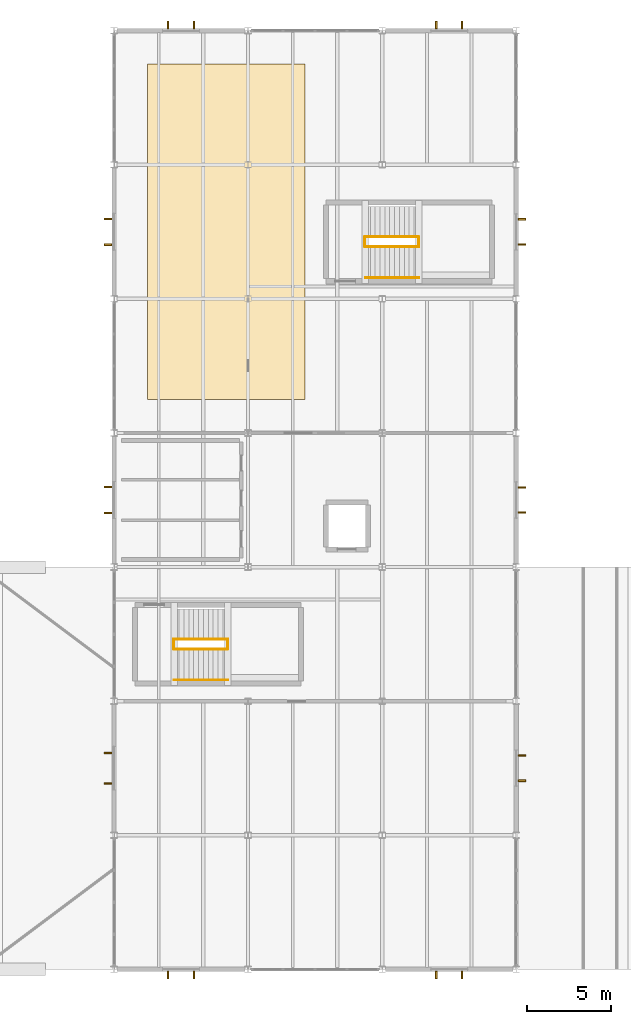
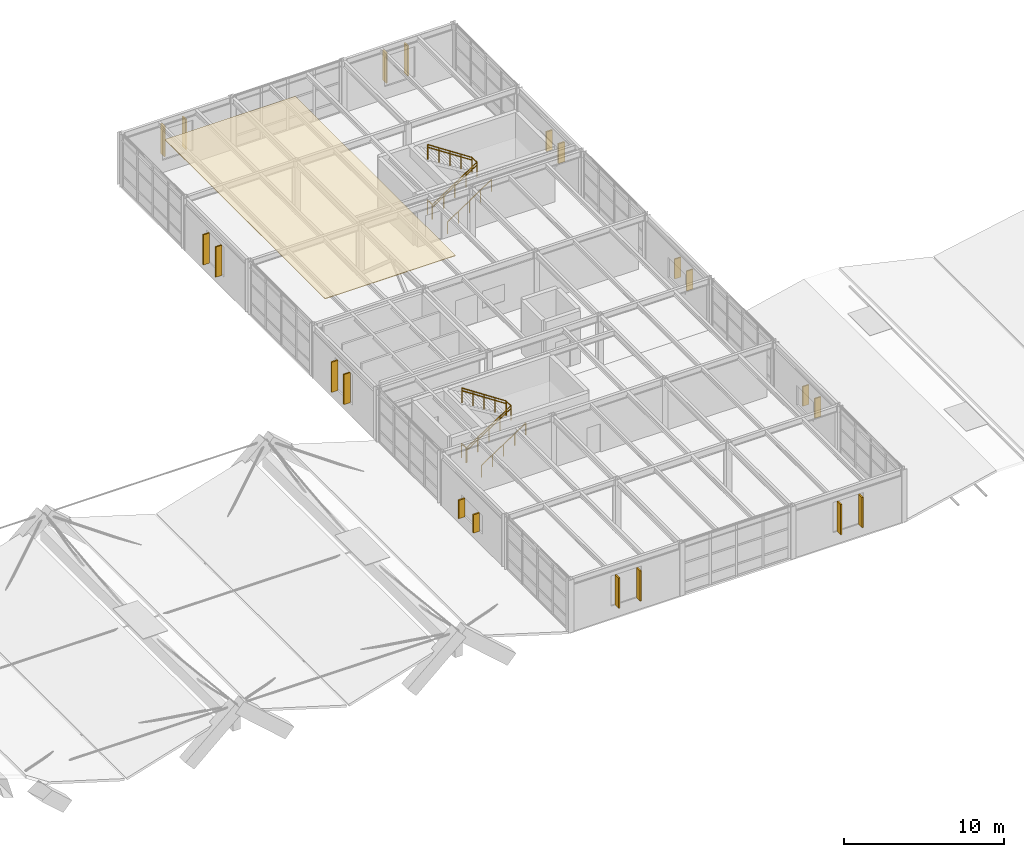
# One storey, part 50 of 50: 20 shading devices, 12 railings, 1 covering.
"""IFC4 building model written with IfcOpenShell, lengths in metres."""

from ifc_helpers import new_model, si_unit, direction, frame, origin, origin_2d, place, context, subcontext, project, spatial, polyline, rectangle, circle, outline, extrude, material, layer, layer_set, type_object, element, save


model = new_model("IFC4")

# Units and contexts
model_context = context("Model", 3, precision=1e-05, world=origin(), true_north=direction((0.0, 1.0)))
body_context = subcontext(model_context, "Body", "Model", "MODEL_VIEW")
ifc_project = project(units=[si_unit("LENGTHUNIT", "METRE"), si_unit("AREAUNIT", "SQUARE_METRE"), si_unit("VOLUMEUNIT", "CUBIC_METRE"), si_unit("PLANEANGLEUNIT", "RADIAN"), si_unit("MASSUNIT", "GRAM", prefix="KILO")], contexts=[model_context])

# Site, building, storey
site_placement = place(None, origin())
site = spatial("IfcSite", under=ifc_project, at=site_placement, CompositionType="ELEMENT")
building_placement = place(site_placement, origin())
building = spatial("IfcBuilding", under=site, at=building_placement, Name="Varnela Railside Interchange", CompositionType="ELEMENT")
storey_placement = place(building_placement, frame((0.0, 0.0, 15.39990234375)))
storey = spatial("IfcBuildingStorey", under=building, at=storey_placement, Name="L03", CompositionType="ELEMENT", Elevation=15.39990234375)

# Covering
ifc_material_1 = material(Name="Gypsum acoustic board")
ifc_layer = layer(ifc_material_1, 0.044921875)
ifc_layer_set = layer_set([ifc_layer], Name="Gypsum acoustic board")
covering_type = type_object("IfcCoveringType", Name="Perforated Acoustic Baffle Ceiling CV-CLG", PredefinedType="CEILING", material=ifc_layer_set)
covering_placement = place(storey_placement, frame((0.0, 0.0, 3.955078125)))
element("IfcCovering", 1, at=covering_placement, inside=storey, type_object=covering_type, Name="Perforated Acoustic Baffle Ceiling CV-CLG", PredefinedType="CEILING", context=body_context, shape_type="SweptSolid", body=[
    extrude(outline(polyline([(118.0, 72.0), (127.39990234375, 72.0), (127.39990234375, 92.0), (118.0, 92.0), (118.0, 72.0)])), origin(), (0.0, 0.0, 1.0), 0.044921875),
])

# Railings
ifc_material_2 = material(Name="Steel AR 350 (350 MPa)", Category="steel")
railing_type_1 = type_object("IfcRailingType", Name="Stair & Ramp Pitch Handrail HR-01", PredefinedType="HANDRAIL", material=ifc_material_2)
railing_1_placement = place(storey_placement, frame((119.60009765625, 57.10009765625, 0.0)))
element("IfcRailing", 2, at=railing_1_placement, inside=storey, type_object=railing_type_1, Name="Stair Handrail ST-E1 Flight 1 (RL-0392)", PredefinedType="HANDRAIL", context=body_context, shape_type="SweptSolid", body=[
    extrude(circle(Radius=0.02392578125, at=origin_2d()), frame((0.0, 0.0, 0.89599609375), z_axis=(0.835242474824, 0.0, 0.549881812983), x_axis=(0.0, 1.0, 0.0)), (0.0, 0.0, 1.0), 3.819091796875),
    extrude(circle(Radius=0.02099609375, at=origin_2d()), origin(), (0.0, 0.0, 1.0), 0.871826171875),
    extrude(circle(Radius=0.02099609375, at=origin_2d()), frame((0.79736328125, 0.0, 0.52490234375)), (0.0, 0.0, 1.0), 0.871826171875),
    extrude(circle(Radius=0.02099609375, at=origin_2d()), frame((1.594970703125, 0.0, 1.050048828125)), (0.0, 0.0, 1.0), 0.871826171875),
    extrude(circle(Radius=0.02099609375, at=origin_2d()), frame((2.392578125, 0.0, 1.5751953125)), (0.0, 0.0, 1.0), 0.871826171875),
    extrude(circle(Radius=0.02099609375, at=origin_2d()), frame((3.18994140625, 0.0, 2.10009765625)), (0.0, 0.0, 1.0), 0.871826171875),
])
railing_2_placement = place(storey_placement, frame((122.7900390625, 57.699951171875, 2.10009765625)))
element("IfcRailing", 3, at=railing_2_placement, inside=storey, type_object=railing_type_1, Name="Stair Handrail ST-E1 Flight 2 (RL-0393)", PredefinedType="HANDRAIL", context=body_context, shape_type="SweptSolid", body=[
    extrude(circle(Radius=0.02392578125, at=origin_2d()), frame((0.0, 0.0, 0.89599609375), z_axis=(-0.835242474824, 0.0, 0.549881812983), x_axis=(0.0, -1.0, 0.0)), (0.0, 0.0, 1.0), 3.819091796875),
    extrude(circle(Radius=0.02099609375, at=origin_2d()), origin(), (0.0, 0.0, 1.0), 0.871826171875),
    extrude(circle(Radius=0.02099609375, at=origin_2d()), frame((-0.79736328125, 0.0, 0.52490234375)), (0.0, 0.0, 1.0), 0.871826171875),
    extrude(circle(Radius=0.02099609375, at=origin_2d()), frame((-1.594970703125, 0.0, 1.050048828125)), (0.0, 0.0, 1.0), 0.871826171875),
    extrude(circle(Radius=0.02099609375, at=origin_2d()), frame((-2.392578125, 0.0, 1.5751953125)), (0.0, 0.0, 1.0), 0.871826171875),
    extrude(circle(Radius=0.02099609375, at=origin_2d()), frame((-3.18994140625, 0.0, 2.10009765625)), (0.0, 0.0, 1.0), 0.871826171875),
])
railing_3_placement = place(storey_placement, frame((131.0, 81.10009765625, 0.0)))
element("IfcRailing", 4, at=railing_3_placement, inside=storey, type_object=railing_type_1, Name="Stair Handrail ST-E2 Flight 1 (RL-0394)", PredefinedType="HANDRAIL", context=body_context, shape_type="SweptSolid", body=[
    extrude(circle(Radius=0.02392578125, at=origin_2d()), frame((0.0, 0.0, 0.89599609375), z_axis=(0.835242474824, 0.0, 0.549881812983), x_axis=(0.0, 1.0, 0.0)), (0.0, 0.0, 1.0), 3.819091796875),
    extrude(circle(Radius=0.02099609375, at=origin_2d()), origin(), (0.0, 0.0, 1.0), 0.871826171875),
    extrude(circle(Radius=0.02099609375, at=origin_2d()), frame((0.79736328125, 0.0, 0.52490234375)), (0.0, 0.0, 1.0), 0.871826171875),
    extrude(circle(Radius=0.02099609375, at=origin_2d()), frame((1.594970703125, 0.0, 1.050048828125)), (0.0, 0.0, 1.0), 0.871826171875),
    extrude(circle(Radius=0.02099609375, at=origin_2d()), frame((2.392578125, 0.0, 1.5751953125)), (0.0, 0.0, 1.0), 0.871826171875),
    extrude(circle(Radius=0.02099609375, at=origin_2d()), frame((3.18994140625, 0.0, 2.10009765625)), (0.0, 0.0, 1.0), 0.871826171875),
])
railing_4_placement = place(storey_placement, frame((134.18994140625, 81.699951171875, 2.10009765625)))
element("IfcRailing", 5, at=railing_4_placement, inside=storey, type_object=railing_type_1, Name="Stair Handrail ST-E2 Flight 2 (RL-0395)", PredefinedType="HANDRAIL", context=body_context, shape_type="SweptSolid", body=[
    extrude(circle(Radius=0.02392578125, at=origin_2d()), frame((0.0, 0.0, 0.89599609375), z_axis=(-0.835242474824, 0.0, 0.549881812983), x_axis=(0.0, -1.0, 0.0)), (0.0, 0.0, 1.0), 3.819091796875),
    extrude(circle(Radius=0.02099609375, at=origin_2d()), origin(), (0.0, 0.0, 1.0), 0.871826171875),
    extrude(circle(Radius=0.02099609375, at=origin_2d()), frame((-0.79736328125, 0.0, 0.52490234375)), (0.0, 0.0, 1.0), 0.871826171875),
    extrude(circle(Radius=0.02099609375, at=origin_2d()), frame((-1.594970703125, 0.0, 1.050048828125)), (0.0, 0.0, 1.0), 0.871826171875),
    extrude(circle(Radius=0.02099609375, at=origin_2d()), frame((-2.392578125, 0.0, 1.5751953125)), (0.0, 0.0, 1.0), 0.871826171875),
    extrude(circle(Radius=0.02099609375, at=origin_2d()), frame((-3.18994140625, 0.0, 2.10009765625)), (0.0, 0.0, 1.0), 0.871826171875),
])
railing_type_2 = type_object("IfcRailingType", Name="Stair Well & Landing Guard GR-02", PredefinedType="GUARDRAIL", material=ifc_material_2)
railing_5_placement = place(storey_placement, frame((119.570068359375, 57.10009765625, 0.0)))
element("IfcRailing", 6, at=railing_5_placement, inside=storey, type_object=railing_type_2, Name="Stair Well Slot Guard ST-E1 on L03 (RL-0376)", PredefinedType="GUARDRAIL", context=body_context, shape_type="SweptSolid", body=[
    extrude(circle(Radius=0.02392578125, at=origin_2d()), frame((0.0, 0.0, 1.09619140625), z_axis=(0.0, 1.0, 0.0), x_axis=(-1.0, 0.0, 0.0)), (0.0, 0.0, 1.0), 0.599853515625),
    extrude(circle(Radius=0.02099609375, at=origin_2d()), origin(), (0.0, 0.0, 1.0), 1.072021484375),
    extrude(circle(Radius=0.02099609375, at=origin_2d()), frame((0.0, 0.599853515625, 0.0)), (0.0, 0.0, 1.0), 1.072021484375),
])
railing_6_placement = place(storey_placement, frame((119.60009765625, 57.10009765625, 0.0)))
element("IfcRailing", 7, at=railing_6_placement, inside=storey, type_object=railing_type_2, Name="Stair Guard ST-E1 Half-Landing (RL-0374)", PredefinedType="GUARDRAIL", context=body_context, shape_type="SweptSolid", body=[
    extrude(circle(Radius=0.02392578125, at=origin_2d()), frame((0.0, 0.0, 1.09619140625), z_axis=(0.835242474824, 0.0, 0.549881812983), x_axis=(0.0, 1.0, 0.0)), (0.0, 0.0, 1.0), 3.819091796875),
    extrude(circle(Radius=0.02392578125, at=origin_2d()), frame((3.18994140625, 0.0, 3.1962890625), z_axis=(0.0, 1.0, 0.0), x_axis=(-1.0, 0.0, 0.0)), (0.0, 0.0, 1.0), 0.599853515625),
    extrude(circle(Radius=0.02099609375, at=origin_2d()), origin(), (0.0, 0.0, 1.0), 1.072021484375),
    extrude(circle(Radius=0.02099609375, at=origin_2d()), frame((0.79736328125, 0.0, 0.52490234375)), (0.0, 0.0, 1.0), 1.072021484375),
    extrude(circle(Radius=0.02099609375, at=origin_2d()), frame((1.594970703125, 0.0, 1.050048828125)), (0.0, 0.0, 1.0), 1.072021484375),
    extrude(circle(Radius=0.02099609375, at=origin_2d()), frame((2.392578125, 0.0, 1.5751953125)), (0.0, 0.0, 1.0), 1.072021484375),
    extrude(circle(Radius=0.02099609375, at=origin_2d()), frame((3.18994140625, 0.0, 2.10009765625)), (0.0, 0.0, 1.0), 1.072021484375),
    extrude(circle(Radius=0.02099609375, at=origin_2d()), frame((3.18994140625, 0.599853515625, 2.10009765625)), (0.0, 0.0, 1.0), 1.072021484375),
])
railing_7_placement = place(storey_placement, frame((122.7900390625, 57.699951171875, 2.10009765625)))
element("IfcRailing", 8, at=railing_7_placement, inside=storey, type_object=railing_type_2, Name="Stair Guard ST-E1 Upper Flight (RL-0375)", PredefinedType="GUARDRAIL", context=body_context, shape_type="SweptSolid", body=[
    extrude(circle(Radius=0.02392578125, at=origin_2d()), frame((0.0, 0.0, 1.09619140625), z_axis=(-0.835242474824, 0.0, 0.549881812983), x_axis=(0.0, -1.0, 0.0)), (0.0, 0.0, 1.0), 3.819091796875),
    extrude(circle(Radius=0.02099609375, at=origin_2d()), origin(), (0.0, 0.0, 1.0), 1.072021484375),
    extrude(circle(Radius=0.02099609375, at=origin_2d()), frame((-0.79736328125, 0.0, 0.52490234375)), (0.0, 0.0, 1.0), 1.072021484375),
    extrude(circle(Radius=0.02099609375, at=origin_2d()), frame((-1.594970703125, 0.0, 1.050048828125)), (0.0, 0.0, 1.0), 1.072021484375),
    extrude(circle(Radius=0.02099609375, at=origin_2d()), frame((-2.392578125, 0.0, 1.5751953125)), (0.0, 0.0, 1.0), 1.072021484375),
    extrude(circle(Radius=0.02099609375, at=origin_2d()), frame((-3.18994140625, 0.0, 2.10009765625)), (0.0, 0.0, 1.0), 1.072021484375),
])
railing_8_placement = place(storey_placement, frame((130.969970703125, 81.10009765625, 0.0)))
element("IfcRailing", 9, at=railing_8_placement, inside=storey, type_object=railing_type_2, Name="Stair Well Slot Guard ST-E2 on L03 (RL-0379)", PredefinedType="GUARDRAIL", context=body_context, shape_type="SweptSolid", body=[
    extrude(circle(Radius=0.02392578125, at=origin_2d()), frame((0.0, 0.0, 1.09619140625), z_axis=(0.0, 1.0, 0.0), x_axis=(-1.0, 0.0, 0.0)), (0.0, 0.0, 1.0), 0.599853515625),
    extrude(circle(Radius=0.02099609375, at=origin_2d()), origin(), (0.0, 0.0, 1.0), 1.072021484375),
    extrude(circle(Radius=0.02099609375, at=origin_2d()), frame((0.0, 0.599853515625, 0.0)), (0.0, 0.0, 1.0), 1.072021484375),
])
railing_9_placement = place(storey_placement, frame((131.0, 81.10009765625, 0.0)))
element("IfcRailing", 10, at=railing_9_placement, inside=storey, type_object=railing_type_2, Name="Stair Guard ST-E2 Half-Landing (RL-0377)", PredefinedType="GUARDRAIL", context=body_context, shape_type="SweptSolid", body=[
    extrude(circle(Radius=0.02392578125, at=origin_2d()), frame((0.0, 0.0, 1.09619140625), z_axis=(0.835242474824, 0.0, 0.549881812983), x_axis=(0.0, 1.0, 0.0)), (0.0, 0.0, 1.0), 3.819091796875),
    extrude(circle(Radius=0.02392578125, at=origin_2d()), frame((3.18994140625, 0.0, 3.1962890625), z_axis=(0.0, 1.0, 0.0), x_axis=(-1.0, 0.0, 0.0)), (0.0, 0.0, 1.0), 0.599853515625),
    extrude(circle(Radius=0.02099609375, at=origin_2d()), origin(), (0.0, 0.0, 1.0), 1.072021484375),
    extrude(circle(Radius=0.02099609375, at=origin_2d()), frame((0.79736328125, 0.0, 0.52490234375)), (0.0, 0.0, 1.0), 1.072021484375),
    extrude(circle(Radius=0.02099609375, at=origin_2d()), frame((1.594970703125, 0.0, 1.050048828125)), (0.0, 0.0, 1.0), 1.072021484375),
    extrude(circle(Radius=0.02099609375, at=origin_2d()), frame((2.392578125, 0.0, 1.5751953125)), (0.0, 0.0, 1.0), 1.072021484375),
    extrude(circle(Radius=0.02099609375, at=origin_2d()), frame((3.18994140625, 0.0, 2.10009765625)), (0.0, 0.0, 1.0), 1.072021484375),
    extrude(circle(Radius=0.02099609375, at=origin_2d()), frame((3.18994140625, 0.599853515625, 2.10009765625)), (0.0, 0.0, 1.0), 1.072021484375),
])
railing_10_placement = place(storey_placement, frame((134.18994140625, 81.699951171875, 2.10009765625)))
element("IfcRailing", 11, at=railing_10_placement, inside=storey, type_object=railing_type_2, Name="Stair Guard ST-E2 Upper Flight (RL-0378)", PredefinedType="GUARDRAIL", context=body_context, shape_type="SweptSolid", body=[
    extrude(circle(Radius=0.02392578125, at=origin_2d()), frame((0.0, 0.0, 1.09619140625), z_axis=(-0.835242474824, 0.0, 0.549881812983), x_axis=(0.0, -1.0, 0.0)), (0.0, 0.0, 1.0), 3.819091796875),
    extrude(circle(Radius=0.02099609375, at=origin_2d()), origin(), (0.0, 0.0, 1.0), 1.072021484375),
    extrude(circle(Radius=0.02099609375, at=origin_2d()), frame((-0.79736328125, 0.0, 0.52490234375)), (0.0, 0.0, 1.0), 1.072021484375),
    extrude(circle(Radius=0.02099609375, at=origin_2d()), frame((-1.594970703125, 0.0, 1.050048828125)), (0.0, 0.0, 1.0), 1.072021484375),
    extrude(circle(Radius=0.02099609375, at=origin_2d()), frame((-2.392578125, 0.0, 1.5751953125)), (0.0, 0.0, 1.0), 1.072021484375),
    extrude(circle(Radius=0.02099609375, at=origin_2d()), frame((-3.18994140625, 0.0, 2.10009765625)), (0.0, 0.0, 1.0), 1.072021484375),
])

# Shading devices
ifc_material_3 = material(Name="Concrete C40 precast", Category="concrete")
shading_device_type = type_object("IfcShadingDeviceType", Name="Terracotta Vertical Sun Fin BS-02", PredefinedType="USERDEFINED", material=ifc_material_3)
for number, where, z_axis, x_axis, name in (
    (12, (136.77001953125, 37.64990234375, 0.9501953125), (0.0, 0.0, 1.0), (0.0, -1.0, 0.0), "Terracotta Vertical Sun Fin BS-02 (L03)"),
    (13, (135.22998046875, 37.64990234375, 0.9501953125), (0.0, 0.0, 1.0), (0.0, -1.0, 0.0), "Terracotta Vertical Sun Fin BS-02 (L03)"),
    (14, (120.77001953125, 37.64990234375, 0.9501953125), (0.0, 0.0, 1.0), (0.0, -1.0, 0.0), "Terracotta Vertical Sun Fin BS-02 (L03)"),
    (15, (119.22998046875, 37.64990234375, 0.9501953125), (0.0, 0.0, 1.0), (0.0, -1.0, 0.0), "Terracotta Vertical Sun Fin BS-02 (L03)"),
):
    element("IfcShadingDevice", number, at=place(storey_placement, frame(where, z_axis=z_axis, x_axis=x_axis)), inside=storey, type_object=shading_device_type, Name=name, ObjectType="FIN", PredefinedType="USERDEFINED", context=body_context, shape_type="SweptSolid", body=[
        extrude(rectangle(XDim=0.449951171875, YDim=0.10009765625, at=origin_2d()), origin(), (0.0, 0.0, 1.0), 2.300048828125),
    ])
for number, where, z_axis, x_axis, name in (
    (16, (115.64990234375, 49.090087890625, 0.9501953125), (0.0, 0.0, 1.0), (-1.0, 0.0, 0.0), "Terracotta Vertical Sun Fin BS-02 (L03)"),
    (17, (115.64990234375, 50.909912109375, 0.9501953125), (0.0, 0.0, 1.0), (-1.0, 0.0, 0.0), "Terracotta Vertical Sun Fin BS-02 (L03)"),
):
    element("IfcShadingDevice", number, at=place(storey_placement, frame(where, z_axis=z_axis, x_axis=x_axis)), inside=storey, type_object=shading_device_type, Name=name, ObjectType="FIN", PredefinedType="USERDEFINED", context=body_context, shape_type="SweptSolid", body=[
        extrude(rectangle(XDim=0.449951171875, YDim=0.10009765625, at=origin_2d()), origin(), (0.0, 0.0, 1.0), 1.39990234375),
    ])
for number, where, z_axis, x_axis, name in (
    (18, (115.64990234375, 65.22998046875, 0.9501953125), (0.0, 0.0, 1.0), (-1.0, 0.0, 0.0), "Terracotta Vertical Sun Fin BS-02 (L03)"),
    (19, (115.64990234375, 66.77001953125, 0.9501953125), (0.0, 0.0, 1.0), (-1.0, 0.0, 0.0), "Terracotta Vertical Sun Fin BS-02 (L03)"),
    (20, (115.64990234375, 81.22998046875, 0.9501953125), (0.0, 0.0, 1.0), (-1.0, 0.0, 0.0), "Terracotta Vertical Sun Fin BS-02 (L03)"),
    (21, (115.64990234375, 82.77001953125, 0.9501953125), (0.0, 0.0, 1.0), (-1.0, 0.0, 0.0), "Terracotta Vertical Sun Fin BS-02 (L03)"),
    (22, (119.22998046875, 94.35009765625, 0.9501953125), (0.0, 0.0, 1.0), (0.0, 1.0, 0.0), "Terracotta Vertical Sun Fin BS-02 (L03)"),
    (23, (120.77001953125, 94.35009765625, 0.9501953125), (0.0, 0.0, 1.0), (0.0, 1.0, 0.0), "Terracotta Vertical Sun Fin BS-02 (L03)"),
    (24, (135.22998046875, 94.35009765625, 0.9501953125), (0.0, 0.0, 1.0), (0.0, 1.0, 0.0), "Terracotta Vertical Sun Fin BS-02 (L03)"),
    (25, (136.77001953125, 94.35009765625, 0.9501953125), (0.0, 0.0, 1.0), (0.0, 1.0, 0.0), "Terracotta Vertical Sun Fin BS-02 (L03)"),
):
    element("IfcShadingDevice", number, at=place(storey_placement, frame(where, z_axis=z_axis, x_axis=x_axis)), inside=storey, type_object=shading_device_type, Name=name, ObjectType="FIN", PredefinedType="USERDEFINED", context=body_context, shape_type="SweptSolid", body=[
        extrude(rectangle(XDim=0.449951171875, YDim=0.10009765625, at=origin_2d()), origin(), (0.0, 0.0, 1.0), 2.300048828125),
    ])
for number, where, z_axis, x_axis, name in (
    (26, (140.35009765625, 82.75244140625, 0.9501953125), (0.0, 0.0, 1.0), (1.0, 0.0, 0.0), "Terracotta Vertical Sun Fin BS-02 (L03)"),
    (27, (140.35009765625, 81.24755859375, 0.9501953125), (0.0, 0.0, 1.0), (1.0, 0.0, 0.0), "Terracotta Vertical Sun Fin BS-02 (L03)"),
    (28, (140.35009765625, 66.75244140625, 0.9501953125), (0.0, 0.0, 1.0), (1.0, 0.0, 0.0), "Terracotta Vertical Sun Fin BS-02 (L03)"),
    (29, (140.35009765625, 65.24755859375, 0.9501953125), (0.0, 0.0, 1.0), (1.0, 0.0, 0.0), "Terracotta Vertical Sun Fin BS-02 (L03)"),
    (30, (140.35009765625, 50.75244140625, 0.9501953125), (0.0, 0.0, 1.0), (1.0, 0.0, 0.0), "Terracotta Vertical Sun Fin BS-02 (L03)"),
    (31, (140.35009765625, 49.24755859375, 0.9501953125), (0.0, 0.0, 1.0), (1.0, 0.0, 0.0), "Terracotta Vertical Sun Fin BS-02 (L03)"),
):
    element("IfcShadingDevice", number, at=place(storey_placement, frame(where, z_axis=z_axis, x_axis=x_axis)), inside=storey, type_object=shading_device_type, Name=name, ObjectType="FIN", PredefinedType="USERDEFINED", context=body_context, shape_type="SweptSolid", body=[
        extrude(rectangle(XDim=0.449951171875, YDim=0.10009765625, at=origin_2d()), origin(), (0.0, 0.0, 1.0), 1.5),
    ])

# Railings
railing_type_3 = type_object("IfcRailingType", Name="Wall-Mounted Stair Handrail HR-02", PredefinedType="HANDRAIL", material=ifc_material_2)
for number, where, name in (
    (32, (119.60009765625, 55.260009765625, 0.0), "Wall Handrail ST-E1 Flight 1 (RL-0404)"),
    (33, (131.0, 79.260009765625, 0.0), "Wall Handrail ST-E2 Flight 1 (RL-0405)"),
):
    element("IfcRailing", number, at=place(storey_placement, frame(where)), inside=storey, type_object=railing_type_3, Name=name, PredefinedType="HANDRAIL", context=body_context, shape_type="SweptSolid", body=[
        extrude(circle(Radius=0.02392578125, at=origin_2d()), frame((0.0, 0.0, 0.89599609375), z_axis=(0.835242474824, 0.0, 0.549881812983), x_axis=(0.0, 1.0, 0.0)), (0.0, 0.0, 1.0), 3.819091796875),
        extrude(circle(Radius=0.02099609375, at=origin_2d()), origin(), (0.0, 0.0, 1.0), 0.871826171875),
        extrude(circle(Radius=0.02099609375, at=origin_2d()), frame((0.79736328125, 0.0, 0.52490234375)), (0.0, 0.0, 1.0), 0.871826171875),
        extrude(circle(Radius=0.02099609375, at=origin_2d()), frame((1.594970703125, 0.0, 1.050048828125)), (0.0, 0.0, 1.0), 0.871826171875),
        extrude(circle(Radius=0.02099609375, at=origin_2d()), frame((2.392578125, 0.0, 1.5751953125)), (0.0, 0.0, 1.0), 0.871826171875),
        extrude(circle(Radius=0.02099609375, at=origin_2d()), frame((3.18994140625, 0.0, 2.10009765625)), (0.0, 0.0, 1.0), 0.871826171875),
    ])

save(model, "model.ifc")
